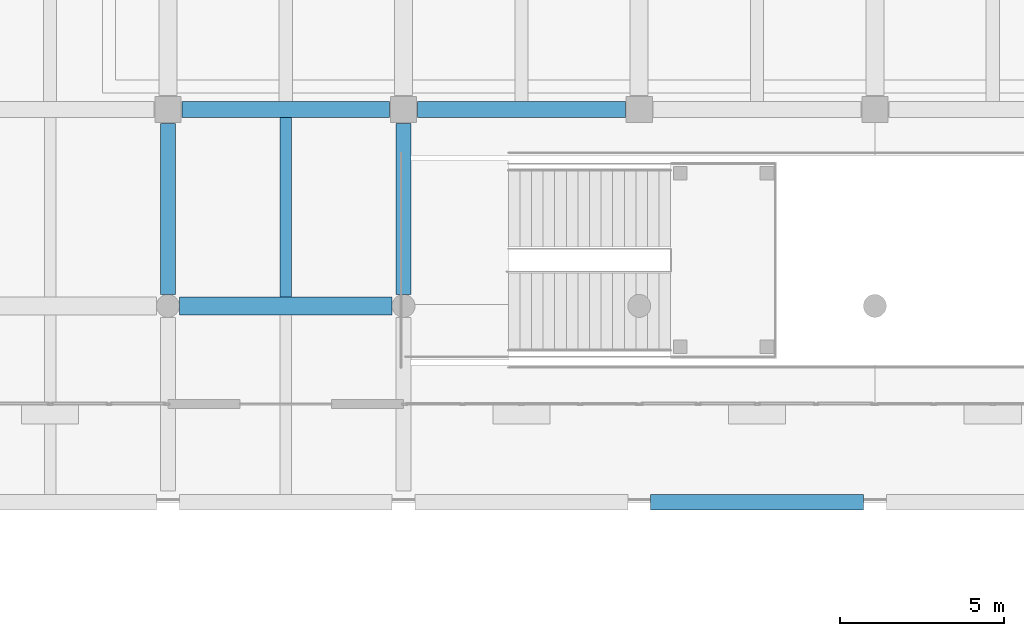
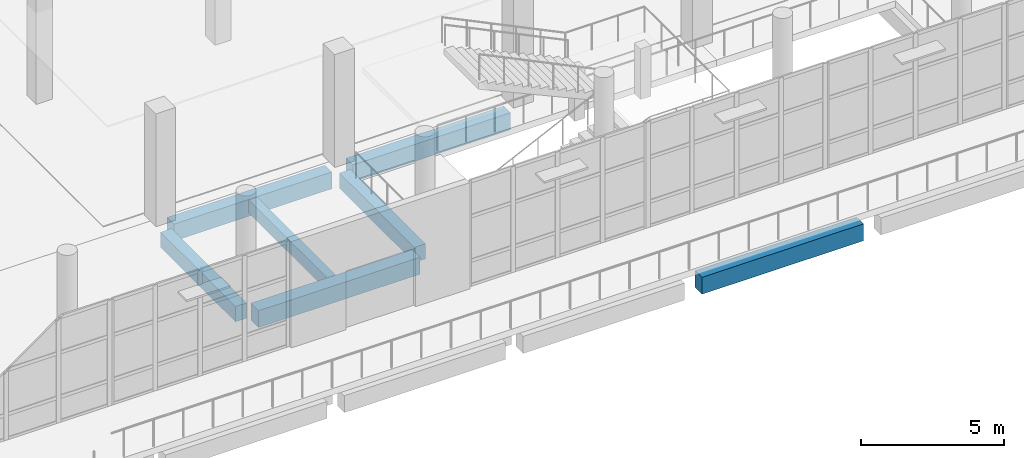
# One storey, part 13 of 79: 7 beams.
"""IFC4 building model written with IfcOpenShell, lengths in metres."""

from ifc_helpers import new_model, si_unit, direction, frame, origin, origin_2d, place, context, subcontext, project, spatial, rectangle, extrude, material, material_profile, profile_set, type_object, element, save


model = new_model("IFC4")

# Units and contexts
model_context = context("Model", 3, precision=1e-05, world=origin(), true_north=direction((0.0, 1.0)))
body_context = subcontext(model_context, "Body", "Model", "MODEL_VIEW")
ifc_project = project(units=[si_unit("LENGTHUNIT", "METRE"), si_unit("AREAUNIT", "SQUARE_METRE"), si_unit("VOLUMEUNIT", "CUBIC_METRE"), si_unit("PLANEANGLEUNIT", "RADIAN"), si_unit("MASSUNIT", "GRAM", prefix="KILO")], contexts=[model_context])

# Site, building, storey
site_placement = place(None, origin())
site = spatial("IfcSite", under=ifc_project, at=site_placement, CompositionType="ELEMENT")
building_placement = place(site_placement, origin())
building = spatial("IfcBuilding", under=site, at=building_placement, Name="Pellamere Symphony Hall", CompositionType="ELEMENT")
storey_placement = place(building_placement, frame((0.0, 0.0, 10.199951171875)))
storey = spatial("IfcBuildingStorey", under=building, at=storey_placement, Name="L02", CompositionType="ELEMENT", Elevation=10.199951171875)

# Beams
ifc_material_1 = material(Name="Concrete 40 MPa", Category="concrete")
ifc_material_profile_1 = material_profile(ifc_material_1, rectangle(XDim=0.449951171875, YDim=0.64990234375, at=origin_2d()), Name="RC 450x650")
ifc_profile_set_1 = profile_set([ifc_material_profile_1], Name="Concrete 40 MPa")
beam_type_1 = type_object("IfcBeamType", Name="RC CB-08 450x650", PredefinedType="BEAM", material=ifc_profile_set_1)
for number, where, z_axis, x_axis, name in (
    (1, (66.0, 24.35009765625, -0.60498046875), (0.0, 1.0, 0.0), (-1.0, 0.0, 0.0), "Girder CB-08-Y1273 (L02)"),
    (2, (73.199951171875, 24.35009765625, -0.60498046875), (0.0, 1.0, 0.0), (-1.0, 0.0, 0.0), "Girder CB-08-Y1279 (L02)"),
):
    element("IfcBeam", number, at=place(storey_placement, frame(where, z_axis=z_axis, x_axis=x_axis)), inside=storey, type_object=beam_type_1, Name=name, PredefinedType="BEAM", context=body_context, shape_type="SweptSolid", body=[
        extrude(rectangle(XDim=0.449951171875, YDim=0.64990234375, at=origin_2d()), origin(), (0.0, 0.0, 1.0), 5.224853515625),
    ])
ifc_material_2 = material(Name="Concrete 35 MPa", Category="concrete")
ifc_material_profile_2 = material_profile(ifc_material_2, rectangle(XDim=0.35009765625, YDim=0.550048828125, at=origin_2d()), Name="RC 350x550")
ifc_profile_set_2 = profile_set([ifc_material_profile_2], Name="Concrete 35 MPa")
beam_type_2 = type_object("IfcBeamType", Name="RC CB-10 350x550", PredefinedType="BEAM", material=ifc_profile_set_2)
beam_1_placement = place(storey_placement, frame((69.60009765625, 24.27001953125, -0.570068359375), z_axis=(0.0, 1.0, 0.0), x_axis=(-1.0, 0.0, 0.0)))
element("IfcBeam", 3, at=beam_1_placement, inside=storey, type_object=beam_type_2, Name="Secondary Floor Beam CB-10-M0803 (L02)", PredefinedType="BEAM", context=body_context, shape_type="SweptSolid", body=[
    extrude(rectangle(XDim=0.35009765625, YDim=0.550048828125, at=origin_2d()), origin(), (0.0, 0.0, 1.0), 5.489990234375),
])
ifc_material_profile_3 = material_profile(ifc_material_1, rectangle(XDim=0.47998046875, YDim=0.719970703125, at=origin_2d()), Name="RC 480x720")
ifc_profile_set_3 = profile_set([ifc_material_profile_3], Name="Concrete 40 MPa")
beam_type_3 = type_object("IfcBeamType", Name="RC CB-14 480x720", PredefinedType="SPANDREL", material=ifc_profile_set_3)
beam_2_placement = place(storey_placement, frame((80.75, 18.0, -0.639892578125), z_axis=(1.0, 0.0, 0.0), x_axis=(0.0, 1.0, 0.0)))
element("IfcBeam", 4, at=beam_2_placement, inside=storey, type_object=beam_type_3, Name="Girder CB-14-X1045 (L02)", PredefinedType="SPANDREL", context=body_context, shape_type="SweptSolid", body=[
    extrude(rectangle(XDim=0.47998046875, YDim=0.719970703125, at=origin_2d()), origin(), (0.0, 0.0, 1.0), 6.5),
])
beam_3_placement = place(storey_placement, frame((66.425048828125, 30.0, -0.639892578125), z_axis=(1.0, 0.0, 0.0), x_axis=(0.0, 1.0, 0.0)))
element("IfcBeam", 5, at=beam_3_placement, inside=storey, type_object=beam_type_3, Name="Girder CB-14-X1076 (L02)", PredefinedType="SPANDREL", context=body_context, shape_type="SweptSolid", body=[
    extrude(rectangle(XDim=0.47998046875, YDim=0.719970703125, at=origin_2d()), origin(), (0.0, 0.0, 1.0), 6.349853515625),
])
beam_4_placement = place(storey_placement, frame((73.625, 30.0, -0.639892578125), z_axis=(1.0, 0.0, 0.0), x_axis=(0.0, 1.0, 0.0)))
element("IfcBeam", 6, at=beam_4_placement, inside=storey, type_object=beam_type_3, Name="Girder CB-14-X1077 (L02)", PredefinedType="SPANDREL", context=body_context, shape_type="SweptSolid", body=[
    extrude(rectangle(XDim=0.47998046875, YDim=0.719970703125, at=origin_2d()), origin(), (0.0, 0.0, 1.0), 6.35009765625),
])
ifc_material_profile_4 = material_profile(ifc_material_1, rectangle(XDim=0.5400390625, YDim=0.719970703125, at=origin_2d()), Name="RC 540x720")
ifc_profile_set_4 = profile_set([ifc_material_profile_4], Name="Concrete 40 MPa")
beam_type_4 = type_object("IfcBeamType", Name="RC CB-24 540x720", PredefinedType="BEAM", material=ifc_profile_set_4)
beam_5_placement = place(storey_placement, frame((66.35009765625, 24.0, -0.639892578125), z_axis=(1.0, 0.0, 0.0), x_axis=(0.0, 1.0, 0.0)))
element("IfcBeam", 7, at=beam_5_placement, inside=storey, type_object=beam_type_4, Name="Girder CB-24-X1061 (L02)", PredefinedType="BEAM", context=body_context, shape_type="SweptSolid", body=[
    extrude(rectangle(XDim=0.5400390625, YDim=0.719970703125, at=origin_2d()), origin(), (0.0, 0.0, 1.0), 6.5),
])

save(model, "model.ifc")
